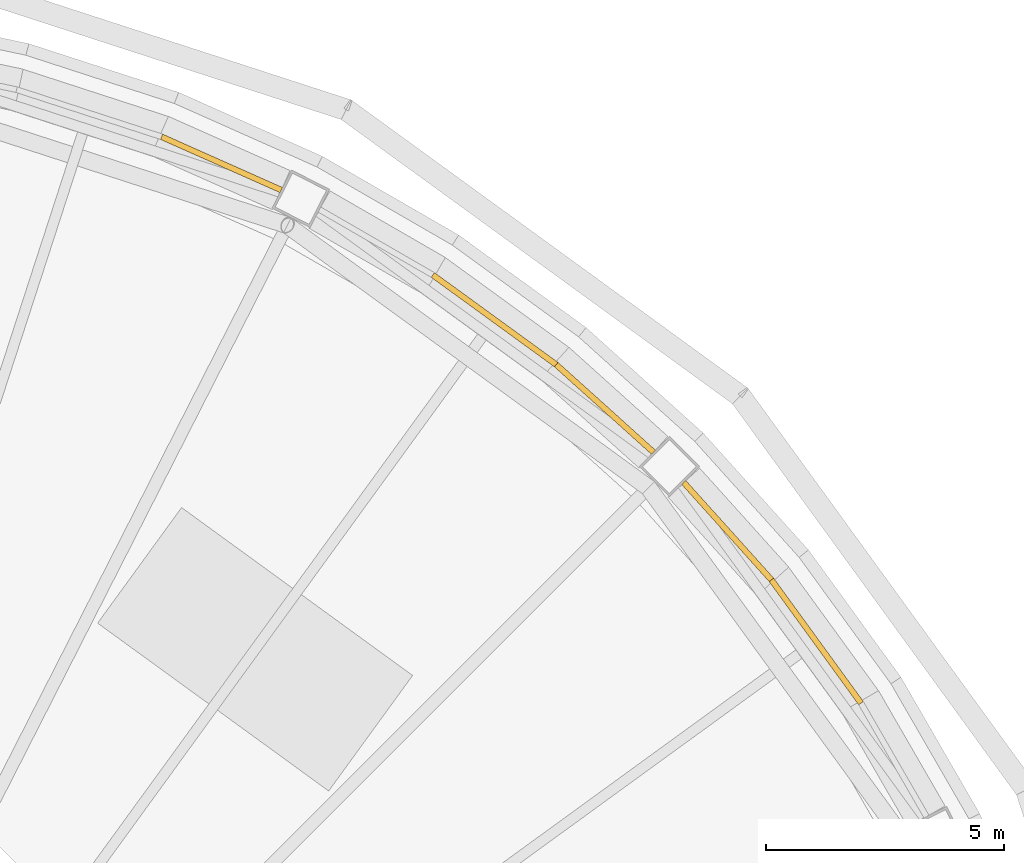
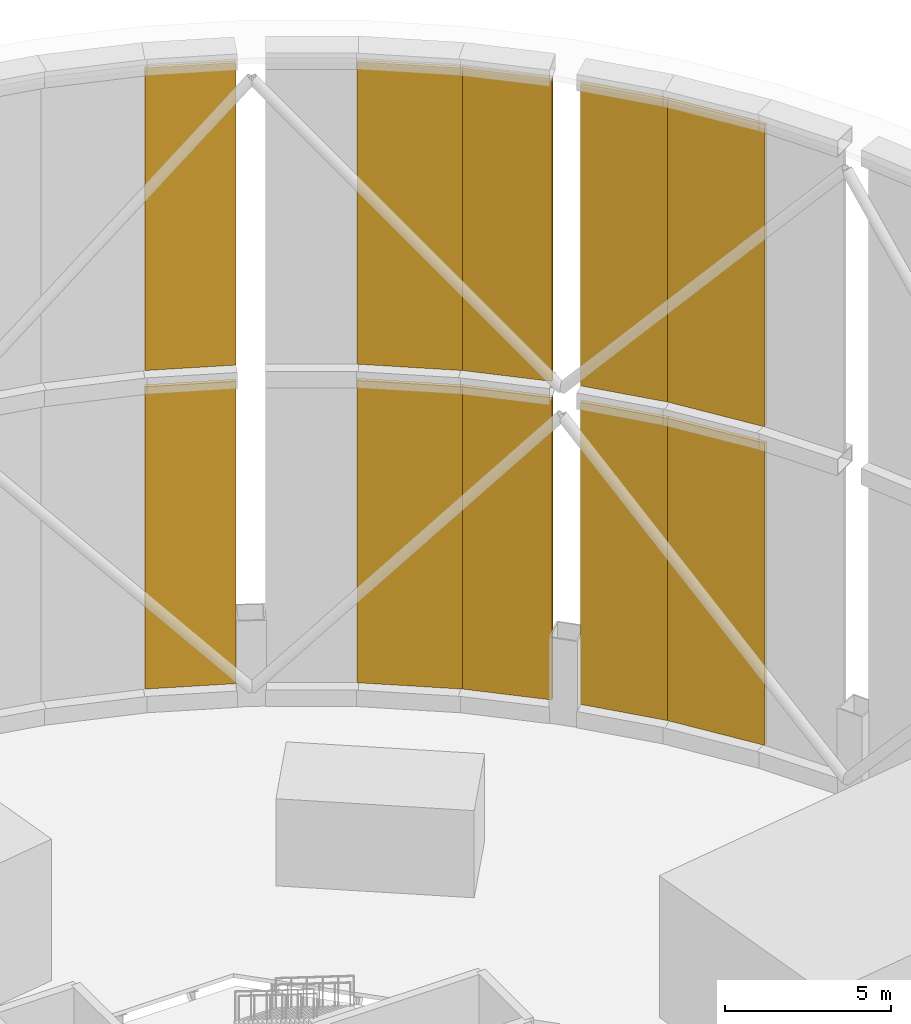
# One storey, part 10 of 11: 10 shading devices.
"""IFC4 building model written with IfcOpenShell, lengths in metres."""

from ifc_helpers import new_model, si_unit, direction, frame, origin, place, context, subcontext, project, spatial, polyline, outline, extrude, material, layer, layer_set, type_object, element, save


model = new_model("IFC4")

# Units and contexts
model_context = context("Model", 3, precision=1e-05, world=origin(), true_north=direction((0.0, 1.0)))
body_context = subcontext(model_context, "Body", "Model", "MODEL_VIEW")
ifc_project = project(units=[si_unit("LENGTHUNIT", "METRE"), si_unit("AREAUNIT", "SQUARE_METRE"), si_unit("VOLUMEUNIT", "CUBIC_METRE"), si_unit("PLANEANGLEUNIT", "RADIAN"), si_unit("MASSUNIT", "GRAM", prefix="KILO")], contexts=[model_context])

# Site, building, storey
site_placement = place(None, origin())
site = spatial("IfcSite", under=ifc_project, at=site_placement, CompositionType="ELEMENT")
building_placement = place(site_placement, origin())
building = spatial("IfcBuilding", under=site, at=building_placement, Name="Entoto Ring Tower", CompositionType="ELEMENT")
storey_placement = place(building_placement, frame((0.0, 0.0, 415.0)))
storey = spatial("IfcBuildingStorey", under=building, at=storey_placement, Name="ROOF", CompositionType="ELEMENT", Elevation=415.0)

# Shading devices
ifc_material = material(Name="Anodised aluminium", Category="aluminium")
ifc_layer = layer(ifc_material, 0.1201171875)
ifc_layer_set = layer_set([ifc_layer], Name="Anodised aluminium")
shading_device_type = type_object("IfcShadingDeviceType", Name="Crown louvre screen 120 mm anodised aluminium", PredefinedType="SHUTTER", material=ifc_layer_set)
shading_device_1_placement = place(storey_placement, frame((0.0, 0.0, 0.60009765625)))
element("IfcShadingDevice", 1, at=shading_device_1_placement, inside=storey, type_object=shading_device_type, Name="CROWN SCREEN 1-04", PredefinedType="SHUTTER", context=body_context, shape_type="SweptSolid", body=[
    extrude(outline(polyline([(115.613037109375, 96.63330078125), (115.713623046875, 96.69873046875), (113.827392578125, 99.294921875), (113.73388671875, 99.219482421875), (115.613037109375, 96.63330078125)])), origin(), (0.0, 0.0, 1.0), 11.099853515625),
])
shading_device_2_placement = place(storey_placement, frame((0.0, 0.0, 0.60009765625)))
element("IfcShadingDevice", 2, at=shading_device_2_placement, inside=storey, type_object=shading_device_type, Name="CROWN SCREEN 1-05", PredefinedType="SHUTTER", context=body_context, shape_type="SweptSolid", body=[
    extrude(outline(polyline([(113.73388671875, 99.219482421875), (113.827392578125, 99.294921875), (111.983154296875, 101.34326171875), (111.89404296875, 101.262939453125), (113.73388671875, 99.219482421875)])), origin(), (0.0, 0.0, 1.0), 11.099853515625),
])
shading_device_3_placement = place(storey_placement, frame((0.0, 0.0, 0.60009765625)))
element("IfcShadingDevice", 3, at=shading_device_3_placement, inside=storey, type_object=shading_device_type, Name="CROWN SCREEN 1-06", PredefinedType="SHUTTER", context=body_context, shape_type="SweptSolid", body=[
    extrude(outline(polyline([(111.262939453125, 101.89404296875), (111.34326171875, 101.983154296875), (109.294921875, 103.827392578125), (109.219482421875, 103.73388671875), (111.262939453125, 101.89404296875)])), origin(), (0.0, 0.0, 1.0), 11.099853515625),
])
shading_device_4_placement = place(storey_placement, frame((0.0, 0.0, 0.60009765625)))
element("IfcShadingDevice", 4, at=shading_device_4_placement, inside=storey, type_object=shading_device_type, Name="CROWN SCREEN 1-07", PredefinedType="SHUTTER", context=body_context, shape_type="SweptSolid", body=[
    extrude(outline(polyline([(109.219482421875, 103.73388671875), (109.294921875, 103.827392578125), (106.69873046875, 105.713623046875), (106.63330078125, 105.613037109375), (109.219482421875, 103.73388671875)])), origin(), (0.0, 0.0, 1.0), 11.099853515625),
])
shading_device_5_placement = place(storey_placement, frame((0.0, 0.0, 0.60009765625)))
element("IfcShadingDevice", 5, at=shading_device_5_placement, inside=storey, type_object=shading_device_type, Name="CROWN SCREEN 1-09", PredefinedType="SHUTTER", context=body_context, shape_type="SweptSolid", body=[
    extrude(outline(polyline([(103.45654296875, 107.39306640625), (103.50537109375, 107.502685546875), (100.987548828125, 108.62353515625), (100.944580078125, 108.511474609375), (103.45654296875, 107.39306640625)])), origin(), (0.0, 0.0, 1.0), 11.099853515625),
])
shading_device_6_placement = place(storey_placement, frame((0.0, 0.0, 12.300048828125)))
element("IfcShadingDevice", 6, at=shading_device_6_placement, inside=storey, type_object=shading_device_type, Name="CROWN SCREEN 2-04", PredefinedType="SHUTTER", context=body_context, shape_type="SweptSolid", body=[
    extrude(outline(polyline([(115.613037109375, 96.63330078125), (115.713623046875, 96.69873046875), (113.827392578125, 99.294921875), (113.73388671875, 99.219482421875), (115.613037109375, 96.63330078125)])), origin(), (0.0, 0.0, 1.0), 11.099853515625),
])
shading_device_7_placement = place(storey_placement, frame((0.0, 0.0, 12.300048828125)))
element("IfcShadingDevice", 7, at=shading_device_7_placement, inside=storey, type_object=shading_device_type, Name="CROWN SCREEN 2-05", PredefinedType="SHUTTER", context=body_context, shape_type="SweptSolid", body=[
    extrude(outline(polyline([(113.73388671875, 99.219482421875), (113.827392578125, 99.294921875), (111.983154296875, 101.34326171875), (111.89404296875, 101.262939453125), (113.73388671875, 99.219482421875)])), origin(), (0.0, 0.0, 1.0), 11.099853515625),
])
shading_device_8_placement = place(storey_placement, frame((0.0, 0.0, 12.300048828125)))
element("IfcShadingDevice", 8, at=shading_device_8_placement, inside=storey, type_object=shading_device_type, Name="CROWN SCREEN 2-06", PredefinedType="SHUTTER", context=body_context, shape_type="SweptSolid", body=[
    extrude(outline(polyline([(111.262939453125, 101.89404296875), (111.34326171875, 101.983154296875), (109.294921875, 103.827392578125), (109.219482421875, 103.73388671875), (111.262939453125, 101.89404296875)])), origin(), (0.0, 0.0, 1.0), 11.099853515625),
])
shading_device_9_placement = place(storey_placement, frame((0.0, 0.0, 12.300048828125)))
element("IfcShadingDevice", 9, at=shading_device_9_placement, inside=storey, type_object=shading_device_type, Name="CROWN SCREEN 2-07", PredefinedType="SHUTTER", context=body_context, shape_type="SweptSolid", body=[
    extrude(outline(polyline([(109.219482421875, 103.73388671875), (109.294921875, 103.827392578125), (106.69873046875, 105.713623046875), (106.63330078125, 105.613037109375), (109.219482421875, 103.73388671875)])), origin(), (0.0, 0.0, 1.0), 11.099853515625),
])
shading_device_10_placement = place(storey_placement, frame((0.0, 0.0, 12.300048828125)))
element("IfcShadingDevice", 10, at=shading_device_10_placement, inside=storey, type_object=shading_device_type, Name="CROWN SCREEN 2-09", PredefinedType="SHUTTER", context=body_context, shape_type="SweptSolid", body=[
    extrude(outline(polyline([(103.45654296875, 107.39306640625), (103.50537109375, 107.502685546875), (100.987548828125, 108.62353515625), (100.944580078125, 108.511474609375), (103.45654296875, 107.39306640625)])), origin(), (0.0, 0.0, 1.0), 11.099853515625),
])

save(model, "model.ifc")
